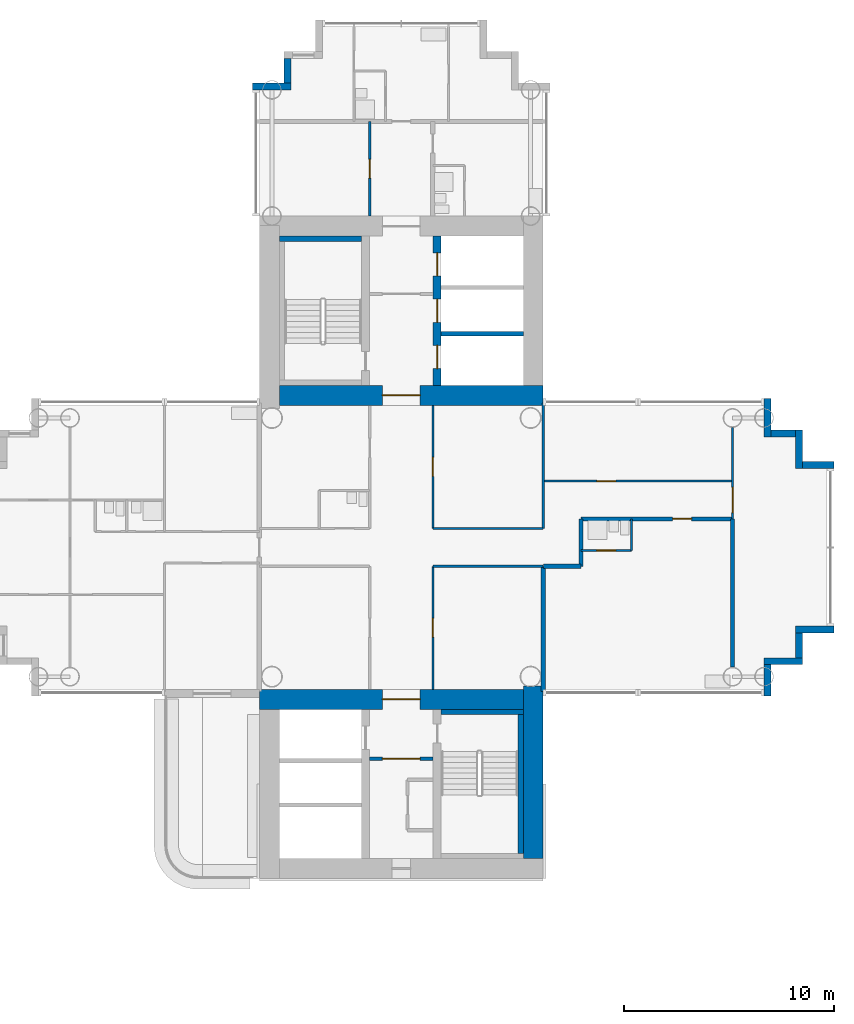
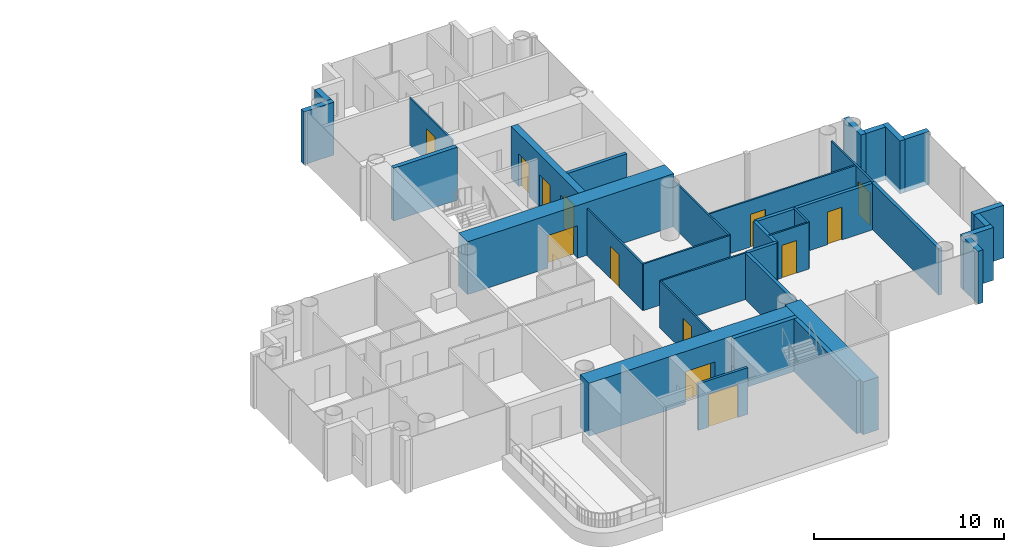
# One storey, part 14 of 22: 34 walls, 13 doors, 13 openings.
"""IFC4 building model written with IfcOpenShell, lengths in metres."""

from ifc_helpers import new_model, si_unit, direction, frame, frame_2d, origin, place, context, subcontext, project, spatial, rectangle, extrude, material, layer, layer_set, type_object, element, fill, save


model = new_model("IFC4")

# Units and contexts
model_context = context("Model", 3, precision=1e-05, world=origin(), true_north=direction((0.0, 1.0)))
body_context = subcontext(model_context, "Body", "Model", "MODEL_VIEW")
ifc_project = project(units=[si_unit("LENGTHUNIT", "METRE"), si_unit("AREAUNIT", "SQUARE_METRE"), si_unit("VOLUMEUNIT", "CUBIC_METRE"), si_unit("PLANEANGLEUNIT", "RADIAN"), si_unit("MASSUNIT", "GRAM", prefix="KILO")], contexts=[model_context])

# Site, building, storey
site_placement = place(None, origin())
site = spatial("IfcSite", under=ifc_project, at=site_placement, CompositionType="ELEMENT")
building_placement = place(site_placement, origin())
building = spatial("IfcBuilding", under=site, at=building_placement, Name="Ipe Terrace Towers", CompositionType="ELEMENT")
storey_placement = place(building_placement, frame((0.0, 0.0, 110.60009765625)))
storey = spatial("IfcBuildingStorey", under=building, at=storey_placement, Name="L30", CompositionType="ELEMENT", Elevation=110.60009765625)

# Walls
ifc_material_1 = material(Name="Concrete C40/50 with buff precast cladding", Category="concrete")
ifc_layer_1 = layer(ifc_material_1, 0.320068359375)
ifc_layer_set_1 = layer_set([ifc_layer_1], Name="BUFF CLADDING WALL 320")
wall_type_1 = type_object("IfcWallType", Name="BUFF CLADDING WALL 320", PredefinedType="STANDARD", material=ifc_layer_set_1)
wall_1_placement = place(storey_placement, frame((53.409912109375, -7.070068359375, -0.300048828125), z_axis=(0.0, 0.0, 1.0), x_axis=(0.0, 1.0, 0.0)))
element("IfcWall", 1, at=wall_1_placement, inside=storey, type_object=wall_type_1, Name="T2-W-L30-04a wall", PredefinedType="STANDARD", context=body_context, shape_type="SweptSolid", body=[
    extrude(rectangle(XDim=1.5, YDim=0.320068359375, at=frame_2d((0.75, 0.0))), origin(), (0.0, 0.0, 1.0), 3.39990234375),
])
wall_2_placement = place(storey_placement, frame((53.25, -5.409912109375, -0.300048828125), z_axis=(0.0, 0.0, 1.0), x_axis=(1.0, 0.0, 0.0)))
element("IfcWall", 2, at=wall_2_placement, inside=storey, type_object=wall_type_1, Name="T2-W-L30-05a wall", PredefinedType="STANDARD", context=body_context, shape_type="SweptSolid", body=[
    extrude(rectangle(XDim=1.820068359375, YDim=0.320068359375, at=frame_2d((0.91015625, 0.0))), origin(), (0.0, 0.0, 1.0), 3.39990234375),
])
wall_3_placement = place(storey_placement, frame((54.909912109375, -5.25, -0.300048828125), z_axis=(0.0, 0.0, 1.0), x_axis=(0.0, 1.0, 0.0)))
element("IfcWall", 3, at=wall_3_placement, inside=storey, type_object=wall_type_1, Name="T2-W-L30-06a wall", PredefinedType="STANDARD", context=body_context, shape_type="SweptSolid", body=[
    extrude(rectangle(XDim=1.179931640625, YDim=0.320068359375, at=frame_2d((0.58984375, 0.0))), origin(), (0.0, 0.0, 1.0), 3.39990234375),
])
wall_4_placement = place(storey_placement, frame((54.75, -3.909912109375, -0.300048828125), z_axis=(0.0, 0.0, 1.0), x_axis=(1.0, 0.0, 0.0)))
element("IfcWall", 4, at=wall_4_placement, inside=storey, type_object=wall_type_1, Name="T2-W-L30-07a wall", PredefinedType="STANDARD", context=body_context, shape_type="SweptSolid", body=[
    extrude(rectangle(XDim=1.820068359375, YDim=0.320068359375, at=frame_2d((0.91015625, 0.0))), origin(), (0.0, 0.0, 1.0), 3.39990234375),
])
wall_5_placement = place(storey_placement, frame((56.570068359375, 3.909912109375, -0.300048828125), z_axis=(0.0, 0.0, 1.0), x_axis=(-1.0, 0.0, 0.0)))
element("IfcWall", 5, at=wall_5_placement, inside=storey, type_object=wall_type_1, Name="T2-W-L30-09a wall", PredefinedType="STANDARD", context=body_context, shape_type="SweptSolid", body=[
    extrude(rectangle(XDim=1.5, YDim=0.320068359375, at=frame_2d((0.75, 0.0))), origin(), (0.0, 0.0, 1.0), 3.39990234375),
])
wall_6_placement = place(storey_placement, frame((54.909912109375, 3.75, -0.300048828125), z_axis=(0.0, 0.0, 1.0), x_axis=(0.0, 1.0, 0.0)))
element("IfcWall", 6, at=wall_6_placement, inside=storey, type_object=wall_type_1, Name="T2-W-L30-10a wall", PredefinedType="STANDARD", context=body_context, shape_type="SweptSolid", body=[
    extrude(rectangle(XDim=1.820068359375, YDim=0.320068359375, at=frame_2d((0.91015625, 0.0))), origin(), (0.0, 0.0, 1.0), 3.39990234375),
])
wall_7_placement = place(storey_placement, frame((54.75, 5.409912109375, -0.300048828125), z_axis=(0.0, 0.0, 1.0), x_axis=(-1.0, 0.0, 0.0)))
element("IfcWall", 7, at=wall_7_placement, inside=storey, type_object=wall_type_1, Name="T2-W-L30-11a wall", PredefinedType="STANDARD", context=body_context, shape_type="SweptSolid", body=[
    extrude(rectangle(XDim=1.179931640625, YDim=0.320068359375, at=frame_2d((0.58984375, 0.0))), origin(), (0.0, 0.0, 1.0), 3.39990234375),
])
wall_8_placement = place(storey_placement, frame((53.409912109375, 5.25, -0.300048828125), z_axis=(0.0, 0.0, 1.0), x_axis=(0.0, 1.0, 0.0)))
element("IfcWall", 8, at=wall_8_placement, inside=storey, type_object=wall_type_1, Name="T2-W-L30-12a wall", PredefinedType="STANDARD", context=body_context, shape_type="SweptSolid", body=[
    extrude(rectangle(XDim=1.820068359375, YDim=0.320068359375, at=frame_2d((0.91015625, 0.0))), origin(), (0.0, 0.0, 1.0), 3.39990234375),
])
wall_9_placement = place(storey_placement, frame((30.590087890625, 23.25, -0.300048828125), z_axis=(0.0, 0.0, 1.0), x_axis=(0.0, -1.0, 0.0)))
element("IfcWall", 9, at=wall_9_placement, inside=storey, type_object=wall_type_1, Name="T2-W-L30-24a wall", PredefinedType="STANDARD", context=body_context, shape_type="SweptSolid", body=[
    extrude(rectangle(XDim=1.179931640625, YDim=0.320068359375, at=frame_2d((0.58984375, 0.0))), origin(), (0.0, 0.0, 1.0), 3.39990234375),
])
wall_10_placement = place(storey_placement, frame((30.75, 21.909912109375, -0.300048828125), z_axis=(0.0, 0.0, 1.0), x_axis=(-1.0, 0.0, 0.0)))
element("IfcWall", 10, at=wall_10_placement, inside=storey, type_object=wall_type_1, Name="T2-W-L30-25a wall", PredefinedType="STANDARD", context=body_context, shape_type="SweptSolid", body=[
    extrude(rectangle(XDim=1.820068359375, YDim=0.320068359375, at=frame_2d((0.91015625, 0.0))), origin(), (0.0, 0.0, 1.0), 3.39990234375),
])
ifc_material_2 = material(Name="Gypsum board partition", Category="plasterboard")
ifc_layer_2 = layer(ifc_material_2, 0.10009765625)
ifc_layer_set_2 = layer_set([ifc_layer_2], Name="Gypsum board partition 100 mm")
wall_type_2 = type_object("IfcWallType", Name="Gypsum board partition 100 mm", PredefinedType="PARTITIONING", material=ifc_layer_set_2)
wall_11_placement = place(storey_placement, frame((42.75, -0.89990234375, 0.0), z_axis=(0.0, 0.0, 1.0), x_axis=(-1.0, 0.0, 0.0)))
element("IfcWall", 11, at=wall_11_placement, inside=storey, type_object=wall_type_2, Name="Gypsum board partition T2 L30 W02", PredefinedType="PARTITIONING", context=body_context, shape_type="SweptSolid", body=[
    extrude(rectangle(XDim=5.25, YDim=0.10009765625, at=frame_2d((2.625, 0.0))), origin(), (0.0, 0.0, 1.0), 3.0),
])

# Wall, opening, door
wall_12_placement = place(storey_placement, frame((46.949951171875, -0.14990234375, 0.0), z_axis=(0.0, 0.0, 1.0), x_axis=(-1.0, 0.0, 0.0)))
wall_12 = element("IfcWall", 12, at=wall_12_placement, inside=storey, type_object=wall_type_2, Name="Gypsum board partition T2 L30 W06", PredefinedType="PARTITIONING", context=body_context, shape_type="SweptSolid", body=[
    extrude(rectangle(XDim=2.39990234375, YDim=0.10009765625, at=frame_2d((1.199951171875, 0.0))), origin(), (0.0, 0.0, 1.0), 3.0),
])
opening_1_placement = place(wall_12_placement, frame((0.75, 0.0, 0.0)))
opening_1 = element("IfcOpeningElement", 13, at=opening_1_placement, cuts=wall_12, Name="Opening T2-Z2F-18", PredefinedType="OPENING", context=body_context, shape_type="SweptSolid", body=[
    extrude(rectangle(XDim=0.89990234375, YDim=2.10009765625, at=frame_2d((0.449951171875, 1.050048828125))), frame((0.0, 0.06005859375, 0.0), z_axis=(0.0, -1.0, 0.0), x_axis=(1.0, 0.0, 0.0)), (0.0, 0.0, 1.0), 0.1201171875),
])
ifc_material_3 = material(Name="Timber door leaf", Category="wood")
door_type_1 = type_object("IfcDoorType", Name="Bathroom door 900 x 2100", OperationType="NOTDEFINED", PredefinedType="DOOR", material=ifc_material_3)
door_1_placement = place(opening_1_placement, origin())
door_1 = element("IfcDoor", 14, at=door_1_placement, inside=storey, type_object=door_type_1, Name="Bathroom door T2-Z2F-18", OperationType="SINGLE_SWING_RIGHT", OverallHeight=2.10009765625, OverallWidth=0.89990234375, PredefinedType="DOOR", context=body_context, shape_type="SweptSolid", body=[
    extrude(rectangle(XDim=0.89990234375, YDim=2.10009765625, at=frame_2d((0.449951171875, 1.050048828125))), frame((0.0, 0.02490234375, 0.0), z_axis=(0.0, -1.0, 0.0), x_axis=(1.0, 0.0, 0.0)), (0.0, 0.0, 1.0), 0.050048828125),
])
fill(opening_1, door_1)

# Wall
wall_13_placement = place(storey_placement, frame((42.75, 0.89990234375, 0.0), z_axis=(0.0, 0.0, 1.0), x_axis=(-1.0, 0.0, 0.0)))
element("IfcWall", 15, at=wall_13_placement, inside=storey, type_object=wall_type_2, Name="Gypsum board partition T2 L30 W08", PredefinedType="PARTITIONING", context=body_context, shape_type="SweptSolid", body=[
    extrude(rectangle(XDim=5.25, YDim=0.10009765625, at=frame_2d((2.625, 0.0))), origin(), (0.0, 0.0, 1.0), 3.0),
])

# Wall, opening, door
wall_14_placement = place(storey_placement, frame((51.75, 3.14990234375, 0.0), z_axis=(0.0, 0.0, 1.0), x_axis=(-1.0, 0.0, 0.0)))
wall_14 = element("IfcWall", 16, at=wall_14_placement, inside=storey, type_object=wall_type_2, Name="Gypsum board partition T2 L30 W13", PredefinedType="PARTITIONING", context=body_context, shape_type="SweptSolid", body=[
    extrude(rectangle(XDim=9.0, YDim=0.10009765625, at=frame_2d((4.5, 0.0))), origin(), (0.0, 0.0, 1.0), 3.0),
])
opening_2_placement = place(wall_14_placement, frame((5.550048828125, 0.0, 0.0)))
opening_2 = element("IfcOpeningElement", 17, at=opening_2_placement, cuts=wall_14, Name="Opening T2-Z2F-16", PredefinedType="OPENING", context=body_context, shape_type="SweptSolid", body=[
    extrude(rectangle(XDim=0.89990234375, YDim=2.10009765625, at=frame_2d((0.449951171875, 1.050048828125))), frame((0.0, 0.06005859375, 0.0), z_axis=(0.0, -1.0, 0.0), x_axis=(1.0, 0.0, 0.0)), (0.0, 0.0, 1.0), 0.1201171875),
])
ifc_material_4 = material(Name="Timber door leaf", Category="wood")
door_type_2 = type_object("IfcDoorType", Name="Lounge door 900 x 2100", OperationType="NOTDEFINED", PredefinedType="DOOR", material=ifc_material_4)
door_2_placement = place(opening_2_placement, origin())
door_2 = element("IfcDoor", 18, at=door_2_placement, inside=storey, type_object=door_type_2, Name="Lounge door T2-Z2F-16", OperationType="SINGLE_SWING_RIGHT", OverallHeight=2.10009765625, OverallWidth=0.89990234375, PredefinedType="DOOR", context=body_context, shape_type="SweptSolid", body=[
    extrude(rectangle(XDim=0.89990234375, YDim=2.10009765625, at=frame_2d((0.449951171875, 1.050048828125))), frame((0.0, 0.02490234375, 0.0), z_axis=(0.0, -1.0, 0.0), x_axis=(1.0, 0.0, 0.0)), (0.0, 0.0, 1.0), 0.050048828125),
])
fill(opening_2, door_2)

wall_15_placement = place(storey_placement, frame((51.75, 1.35009765625, 0.0), z_axis=(0.0, 0.0, 1.0), x_axis=(0.0, 1.0, 0.0)))
wall_15 = element("IfcWall", 19, at=wall_15_placement, inside=storey, type_object=wall_type_2, Name="Gypsum board partition T2 L30 W17", PredefinedType="PARTITIONING", context=body_context, shape_type="SweptSolid", body=[
    extrude(rectangle(XDim=4.349853515625, YDim=0.10009765625, at=frame_2d((2.1748046875, 0.0))), origin(), (0.0, 0.0, 1.0), 3.0),
])
opening_3_placement = place(wall_15_placement, frame((0.300048828125, 0.0, 0.0)))
opening_3 = element("IfcOpeningElement", 20, at=opening_3_placement, cuts=wall_15, Name="Opening T2-Z2F-19", PredefinedType="OPENING", context=body_context, shape_type="SweptSolid", body=[
    extrude(rectangle(XDim=1.199951171875, YDim=2.10009765625, at=frame_2d((0.60009765625, 1.050048828125))), frame((0.0, 0.06005859375, 0.0), z_axis=(0.0, -1.0, 0.0), x_axis=(1.0, 0.0, 0.0)), (0.0, 0.0, 1.0), 0.1201171875),
])
ifc_material_5 = material(Name="Timber door leaf", Category="wood")
door_type_3 = type_object("IfcDoorType", Name="Lounge door 1200 x 2100", OperationType="NOTDEFINED", PredefinedType="DOOR", material=ifc_material_5)
door_3_placement = place(opening_3_placement, origin())
door_3 = element("IfcDoor", 21, at=door_3_placement, inside=storey, type_object=door_type_3, Name="Lounge door T2-Z2F-19", OperationType="SINGLE_SWING_LEFT", OverallHeight=2.10009765625, OverallWidth=1.199951171875, PredefinedType="DOOR", context=body_context, shape_type="SweptSolid", body=[
    extrude(rectangle(XDim=1.199951171875, YDim=2.10009765625, at=frame_2d((0.60009765625, 1.050048828125))), frame((0.0, 0.02490234375, 0.0), z_axis=(0.0, -1.0, 0.0), x_axis=(1.0, 0.0, 0.0)), (0.0, 0.0, 1.0), 0.050048828125),
])
fill(opening_3, door_3)

# Walls
wall_16_placement = place(storey_placement, frame((46.949951171875, -0.14990234375, 0.0), z_axis=(0.0, 0.0, 1.0), x_axis=(0.0, 1.0, 0.0)))
element("IfcWall", 22, at=wall_16_placement, inside=storey, type_object=wall_type_2, Name="Gypsum board partition T2 L30 W19", PredefinedType="PARTITIONING", context=body_context, shape_type="SweptSolid", body=[
    extrude(rectangle(XDim=1.5, YDim=0.10009765625, at=frame_2d((0.75, 0.0))), origin(), (0.0, 0.0, 1.0), 3.0),
])
wall_17_placement = place(storey_placement, frame((42.75, 0.89990234375, 0.0), z_axis=(0.0, 0.0, 1.0), x_axis=(0.0, 1.0, 0.0)))
element("IfcWall", 23, at=wall_17_placement, inside=storey, type_object=wall_type_2, Name="Gypsum board partition T2 L30 W21", PredefinedType="PARTITIONING", context=body_context, shape_type="SweptSolid", body=[
    extrude(rectangle(XDim=5.9501953125, YDim=0.10009765625, at=frame_2d((2.97509765625, 0.0))), origin(), (0.0, 0.0, 1.0), 3.0),
])

# Wall, opening, door
wall_18_placement = place(storey_placement, frame((37.5, -6.75, 0.0), z_axis=(0.0, 0.0, 1.0), x_axis=(0.0, 1.0, 0.0)))
wall_18 = element("IfcWall", 24, at=wall_18_placement, inside=storey, type_object=wall_type_2, Name="Gypsum board partition T2 L30 W25", PredefinedType="PARTITIONING", context=body_context, shape_type="SweptSolid", body=[
    extrude(rectangle(XDim=5.85009765625, YDim=0.10009765625, at=frame_2d((2.925048828125, 0.0))), origin(), (0.0, 0.0, 1.0), 3.0),
])
opening_4_placement = place(wall_18_placement, frame((2.47509765625, 0.0, 0.0)))
opening_4 = element("IfcOpeningElement", 25, at=opening_4_placement, cuts=wall_18, Name="Opening T2-Z2F-04", PredefinedType="OPENING", context=body_context, shape_type="SweptSolid", body=[
    extrude(rectangle(XDim=0.89990234375, YDim=2.10009765625, at=frame_2d((0.449951171875, 1.050048828125))), frame((0.0, 0.06005859375, 0.0), z_axis=(0.0, -1.0, 0.0), x_axis=(1.0, 0.0, 0.0)), (0.0, 0.0, 1.0), 0.1201171875),
])
door_4_placement = place(opening_4_placement, origin())
door_4 = element("IfcDoor", 26, at=door_4_placement, inside=storey, type_object=door_type_2, Name="Lounge door T2-Z2F-04", OperationType="SINGLE_SWING_LEFT", OverallHeight=2.10009765625, OverallWidth=0.89990234375, PredefinedType="DOOR", context=body_context, shape_type="SweptSolid", body=[
    extrude(rectangle(XDim=0.89990234375, YDim=2.10009765625, at=frame_2d((0.449951171875, 1.050048828125))), frame((0.0, 0.02490234375, 0.0), z_axis=(0.0, -1.0, 0.0), x_axis=(1.0, 0.0, 0.0)), (0.0, 0.0, 1.0), 0.050048828125),
])
fill(opening_4, door_4)

wall_19_placement = place(storey_placement, frame((37.5, 0.89990234375, 0.0), z_axis=(0.0, 0.0, 1.0), x_axis=(0.0, 1.0, 0.0)))
wall_19 = element("IfcWall", 27, at=wall_19_placement, inside=storey, type_object=wall_type_2, Name="Gypsum board partition T2 L30 W26", PredefinedType="PARTITIONING", context=body_context, shape_type="SweptSolid", body=[
    extrude(rectangle(XDim=5.85009765625, YDim=0.10009765625, at=frame_2d((2.925048828125, 0.0))), origin(), (0.0, 0.0, 1.0), 3.0),
])
opening_5_placement = place(wall_19_placement, frame((2.47509765625, 0.0, 0.0)))
opening_5 = element("IfcOpeningElement", 28, at=opening_5_placement, cuts=wall_19, Name="Opening T2-Z2F-05", PredefinedType="OPENING", context=body_context, shape_type="SweptSolid", body=[
    extrude(rectangle(XDim=0.89990234375, YDim=2.10009765625, at=frame_2d((0.449951171875, 1.050048828125))), frame((0.0, 0.06005859375, 0.0), z_axis=(0.0, -1.0, 0.0), x_axis=(1.0, 0.0, 0.0)), (0.0, 0.0, 1.0), 0.1201171875),
])
door_5_placement = place(opening_5_placement, origin())
door_5 = element("IfcDoor", 29, at=door_5_placement, inside=storey, type_object=door_type_2, Name="Lounge door T2-Z2F-05", OperationType="SINGLE_SWING_RIGHT", OverallHeight=2.10009765625, OverallWidth=0.89990234375, PredefinedType="DOOR", context=body_context, shape_type="SweptSolid", body=[
    extrude(rectangle(XDim=0.89990234375, YDim=2.10009765625, at=frame_2d((0.449951171875, 1.050048828125))), frame((0.0, 0.02490234375, 0.0), z_axis=(0.0, -1.0, 0.0), x_axis=(1.0, 0.0, 0.0)), (0.0, 0.0, 1.0), 0.050048828125),
])
fill(opening_5, door_5)

wall_20_placement = place(storey_placement, frame((34.5, 15.75, 0.0), z_axis=(0.0, 0.0, 1.0), x_axis=(0.0, 1.0, 0.0)))
wall_20 = element("IfcWall", 30, at=wall_20_placement, inside=storey, type_object=wall_type_2, Name="Gypsum board partition T2 L30 W31", PredefinedType="PARTITIONING", context=body_context, shape_type="SweptSolid", body=[
    extrude(rectangle(XDim=4.5, YDim=0.10009765625, at=frame_2d((2.25, 0.0))), origin(), (0.0, 0.0, 1.0), 3.0),
])
opening_6_placement = place(wall_20_placement, frame((1.800048828125, 0.0, 0.0)))
opening_6 = element("IfcOpeningElement", 31, at=opening_6_placement, cuts=wall_20, Name="Opening T2-Z2F-20", PredefinedType="OPENING", context=body_context, shape_type="SweptSolid", body=[
    extrude(rectangle(XDim=0.89990234375, YDim=2.10009765625, at=frame_2d((0.449951171875, 1.050048828125))), frame((0.0, 0.06005859375, 0.0), z_axis=(0.0, -1.0, 0.0), x_axis=(1.0, 0.0, 0.0)), (0.0, 0.0, 1.0), 0.1201171875),
])
door_6_placement = place(opening_6_placement, origin())
door_6 = element("IfcDoor", 32, at=door_6_placement, inside=storey, type_object=door_type_2, Name="Lounge door T2-Z2F-20", OperationType="SINGLE_SWING_LEFT", OverallHeight=2.10009765625, OverallWidth=0.89990234375, PredefinedType="DOOR", context=body_context, shape_type="SweptSolid", body=[
    extrude(rectangle(XDim=0.89990234375, YDim=2.10009765625, at=frame_2d((0.449951171875, 1.050048828125))), frame((0.0, 0.02490234375, 0.0), z_axis=(0.0, -1.0, 0.0), x_axis=(1.0, 0.0, 0.0)), (0.0, 0.0, 1.0), 0.050048828125),
])
fill(opening_6, door_6)

ifc_material_6 = material(Name="Gypsum board partition", Category="plasterboard")
ifc_layer_3 = layer(ifc_material_6, 0.14990234375)
ifc_layer_set_3 = layer_set([ifc_layer_3], Name="Gypsum board partition 150 mm")
wall_type_3 = type_object("IfcWallType", Name="Gypsum board partition 150 mm", PredefinedType="PARTITIONING", material=ifc_layer_set_3)
wall_21_placement = place(storey_placement, frame((34.5, -10.050048828125, 0.0), z_axis=(0.0, 0.0, 1.0), x_axis=(1.0, 0.0, 0.0)))
wall_21 = element("IfcWall", 33, at=wall_21_placement, inside=storey, type_object=wall_type_3, Name="Gypsum board partition T2 L30 t2c2-lobby-wall", PredefinedType="PARTITIONING", context=body_context, shape_type="SweptSolid", body=[
    extrude(rectangle(XDim=3.0, YDim=0.14990234375, at=frame_2d((1.5, 0.0))), origin(), (0.0, 0.0, 1.0), 3.0),
])
opening_7_placement = place(wall_21_placement, frame((0.60009765625, 0.0, 0.0)))
opening_7 = element("IfcOpeningElement", 34, at=opening_7_placement, cuts=wall_21, Name="Opening T2C2-VD", PredefinedType="OPENING", context=body_context, shape_type="SweptSolid", body=[
    extrude(rectangle(XDim=1.800048828125, YDim=2.10009765625, at=frame_2d((0.89990234375, 1.050048828125))), frame((0.0, 0.0849609375, 0.0), z_axis=(0.0, -1.0, 0.0), x_axis=(1.0, 0.0, 0.0)), (0.0, 0.0, 1.0), 0.169921875),
])
ifc_material_7 = material(Name="Fire-rated timber door leaf", Category="wood")
door_type_4 = type_object("IfcDoorType", Name="Lobby door 1800 x 2100 FD60", OperationType="NOTDEFINED", PredefinedType="DOOR", material=ifc_material_7)
door_7_placement = place(opening_7_placement, origin())
door_7 = element("IfcDoor", 35, at=door_7_placement, inside=storey, type_object=door_type_4, Name="Lobby door T2C2-VD", OperationType="SINGLE_SWING_LEFT", OverallHeight=2.10009765625, OverallWidth=1.800048828125, PredefinedType="DOOR", context=body_context, shape_type="SweptSolid", body=[
    extrude(rectangle(XDim=1.800048828125, YDim=2.10009765625, at=frame_2d((0.89990234375, 1.050048828125))), frame((0.0, 0.02490234375, 0.0), z_axis=(0.0, -1.0, 0.0), x_axis=(1.0, 0.0, 0.0)), (0.0, 0.0, 1.0), 0.050048828125),
])
fill(opening_7, door_7)

# Walls
ifc_material_8 = material(Name="Gypsum board party wall", Category="plasterboard")
ifc_layer_4 = layer(ifc_material_8, 0.199951171875)
ifc_layer_set_4 = layer_set([ifc_layer_4], Name="Gypsum board party wall 200 mm")
wall_type_4 = type_object("IfcWallType", Name="Gypsum board party wall 200 mm", PredefinedType="SOLIDWALL", material=ifc_layer_set_4)
wall_22_placement = place(storey_placement, frame((41.800048828125, 10.14990234375, 0.0), z_axis=(0.0, 0.0, 1.0), x_axis=(-1.0, 0.0, 0.0)))
element("IfcWall", 36, at=wall_22_placement, inside=storey, type_object=wall_type_4, Name="Gypsum board party wall T2 L30 t2c1-shaft-div1", PredefinedType="SOLIDWALL", context=body_context, shape_type="SweptSolid", body=[
    extrude(rectangle(XDim=3.900146484375, YDim=0.199951171875, at=frame_2d((1.9501953125, 0.0))), origin(), (0.0, 0.0, 1.0), 3.0),
])
wall_23_placement = place(storey_placement, frame((44.550048828125, -0.89990234375, 0.0), z_axis=(0.0, 0.0, 1.0), x_axis=(-1.0, 0.0, 0.0)))
element("IfcWall", 37, at=wall_23_placement, inside=storey, type_object=wall_type_4, Name="Gypsum board party wall T2 L30 W04", PredefinedType="SOLIDWALL", context=body_context, shape_type="SweptSolid", body=[
    extrude(rectangle(XDim=1.800048828125, YDim=0.199951171875, at=frame_2d((0.89990234375, 0.0))), origin(), (0.0, 0.0, 1.0), 3.0),
])

# Wall, opening, door
wall_24_placement = place(storey_placement, frame((51.75, 1.35009765625, 0.0), z_axis=(0.0, 0.0, 1.0), x_axis=(-1.0, 0.0, 0.0)))
wall_24 = element("IfcWall", 38, at=wall_24_placement, inside=storey, type_object=wall_type_4, Name="Gypsum board party wall T2 L30 W10", PredefinedType="SOLIDWALL", context=body_context, shape_type="SweptSolid", body=[
    extrude(rectangle(XDim=7.199951171875, YDim=0.199951171875, at=frame_2d((3.60009765625, 0.0))), origin(), (0.0, 0.0, 1.0), 3.0),
])
opening_8_placement = place(wall_24_placement, frame((1.949951171875, 0.0, 0.0)))
opening_8 = element("IfcOpeningElement", 39, at=opening_8_placement, cuts=wall_24, Name="Opening T2-Z2F-17", PredefinedType="OPENING", context=body_context, shape_type="SweptSolid", body=[
    extrude(rectangle(XDim=0.89990234375, YDim=2.10009765625, at=frame_2d((0.449951171875, 1.050048828125))), frame((0.0, 0.10986328125, 0.0), z_axis=(0.0, -1.0, 0.0), x_axis=(1.0, 0.0, 0.0)), (0.0, 0.0, 1.0), 0.219970703125),
])
ifc_material_9 = material(Name="Fire-rated timber door leaf", Category="wood")
door_type_5 = type_object("IfcDoorType", Name="Flat entrance door 900 x 2100 FD30S", OperationType="NOTDEFINED", PredefinedType="DOOR", material=ifc_material_9)
door_8_placement = place(opening_8_placement, origin())
door_8 = element("IfcDoor", 40, at=door_8_placement, inside=storey, type_object=door_type_5, Name="Flat entrance door T2-Z2F-17", OperationType="SINGLE_SWING_RIGHT", OverallHeight=2.10009765625, OverallWidth=0.89990234375, PredefinedType="DOOR", context=body_context, shape_type="SweptSolid", body=[
    extrude(rectangle(XDim=0.89990234375, YDim=2.10009765625, at=frame_2d((0.449951171875, 1.050048828125))), frame((0.0, 0.02490234375, 0.0), z_axis=(0.0, -1.0, 0.0), x_axis=(1.0, 0.0, 0.0)), (0.0, 0.0, 1.0), 0.050048828125),
])
fill(opening_8, door_8)

# Walls
wall_25_placement = place(storey_placement, frame((51.75, -5.699951171875, 0.0), z_axis=(0.0, 0.0, 1.0), x_axis=(0.0, 1.0, 0.0)))
element("IfcWall", 41, at=wall_25_placement, inside=storey, type_object=wall_type_4, Name="Gypsum board party wall T2 L30 W18", PredefinedType="SOLIDWALL", context=body_context, shape_type="SweptSolid", body=[
    extrude(rectangle(XDim=7.050048828125, YDim=0.199951171875, at=frame_2d((3.52490234375, 0.0))), origin(), (0.0, 0.0, 1.0), 3.0),
])
wall_26_placement = place(storey_placement, frame((44.550048828125, -0.89990234375, 0.0), z_axis=(0.0, 0.0, 1.0), x_axis=(0.0, 1.0, 0.0)))
element("IfcWall", 42, at=wall_26_placement, inside=storey, type_object=wall_type_4, Name="Gypsum board party wall T2 L30 W20", PredefinedType="SOLIDWALL", context=body_context, shape_type="SweptSolid", body=[
    extrude(rectangle(XDim=2.25, YDim=0.199951171875, at=frame_2d((1.125, 0.0))), origin(), (0.0, 0.0, 1.0), 3.0),
])
wall_27_placement = place(storey_placement, frame((42.75, -6.85009765625, 0.0), z_axis=(0.0, 0.0, 1.0), x_axis=(0.0, 1.0, 0.0)))
element("IfcWall", 43, at=wall_27_placement, inside=storey, type_object=wall_type_4, Name="Gypsum board party wall T2 L30 W22", PredefinedType="SOLIDWALL", context=body_context, shape_type="SweptSolid", body=[
    extrude(rectangle(XDim=5.9501953125, YDim=0.199951171875, at=frame_2d((2.97509765625, 0.0))), origin(), (0.0, 0.0, 1.0), 3.0),
])
ifc_material_10 = material(Name="Concrete C50/60", Category="concrete")
ifc_layer_5 = layer(ifc_material_10, 0.25)
ifc_layer_set_5 = layer_set([ifc_layer_5], Name="RW250 CORE INFILL WALL 250 C50-60")
wall_type_5 = type_object("IfcWallType", Name="RW250 CORE INFILL WALL 250 C50-60", PredefinedType="SHEAR", material=ifc_layer_set_5)
wall_28_placement = place(storey_placement, frame((34.10009765625, 14.675048828125, 0.0), z_axis=(0.0, 0.0, 1.0), x_axis=(-1.0, 0.0, 0.0)))
element("IfcWall", 44, at=wall_28_placement, inside=storey, type_object=wall_type_5, Name="Core infill wall T2-C1-far", PredefinedType="SHEAR", context=body_context, shape_type="SweptSolid", body=[
    extrude(rectangle(XDim=3.900146484375, YDim=0.25, at=frame_2d((1.9501953125, 0.0))), origin(), (0.0, 0.0, 1.0), 3.39990234375),
])
wall_29_placement = place(storey_placement, frame((41.675048828125, -7.949951171875, 0.0), z_axis=(0.0, 0.0, 1.0), x_axis=(0.0, -1.0, 0.0)))
element("IfcWall", 45, at=wall_29_placement, inside=storey, type_object=wall_type_5, Name="Core infill wall T2-C2-back", PredefinedType="SHEAR", context=body_context, shape_type="SweptSolid", body=[
    extrude(rectangle(XDim=6.60009765625, YDim=0.25, at=frame_2d((3.300048828125, 0.0))), origin(), (0.0, 0.0, 1.0), 3.39990234375),
])
wall_30_placement = place(storey_placement, frame((37.89990234375, -7.824951171875, 0.0), z_axis=(0.0, 0.0, 1.0), x_axis=(1.0, 0.0, 0.0)))
element("IfcWall", 46, at=wall_30_placement, inside=storey, type_object=wall_type_5, Name="Core infill wall T2-C2-near", PredefinedType="SHEAR", context=body_context, shape_type="SweptSolid", body=[
    extrude(rectangle(XDim=3.900146484375, YDim=0.25, at=frame_2d((1.9501953125, 0.0))), origin(), (0.0, 0.0, 1.0), 3.39990234375),
])

# Wall, openings, doors
ifc_material_11 = material(Name="Concrete C50/60", Category="concrete")
ifc_layer_6 = layer(ifc_material_11, 0.39990234375)
ifc_layer_set_6 = layer_set([ifc_layer_6], Name="RW400 CORE SPINE WALL 400 C50-60")
wall_type_6 = type_object("IfcWallType", Name="RW400 CORE SPINE WALL 400 C50-60", PredefinedType="SHEAR", material=ifc_layer_set_6)
wall_31_placement = place(storey_placement, frame((37.699951171875, 7.699951171875, 0.0), z_axis=(0.0, 0.0, 1.0), x_axis=(0.0, 1.0, 0.0)))
wall_31 = element("IfcWall", 47, at=wall_31_placement, inside=storey, type_object=wall_type_6, Name="Core spine wall T2-C1-Z2-SW2", PredefinedType="SHEAR", context=body_context, shape_type="SweptSolid", body=[
    extrude(rectangle(XDim=7.10009765625, YDim=0.39990234375, at=frame_2d((3.550048828125, 0.0))), origin(), (0.0, 0.0, 1.0), 3.39990234375),
])
opening_9_placement = place(wall_31_placement, frame((0.800048828125, 0.0, 0.0)))
opening_9 = element("IfcOpeningElement", 48, at=opening_9_placement, cuts=wall_31, Name="Opening T2C1-LD1", PredefinedType="OPENING", context=body_context, shape_type="SweptSolid", body=[
    extrude(rectangle(XDim=1.10009765625, YDim=2.10009765625, at=frame_2d((0.550048828125, 1.050048828125))), frame((0.0, 0.2099609375, 0.0), z_axis=(0.0, -1.0, 0.0), x_axis=(1.0, 0.0, 0.0)), (0.0, 0.0, 1.0), 0.419921875),
])
opening_10_placement = place(wall_31_placement, frame((3.0, 0.0, 0.0)))
opening_10 = element("IfcOpeningElement", 49, at=opening_10_placement, cuts=wall_31, Name="Opening T2C1-LD2", PredefinedType="OPENING", context=body_context, shape_type="SweptSolid", body=[
    extrude(rectangle(XDim=1.10009765625, YDim=2.10009765625, at=frame_2d((0.550048828125, 1.050048828125))), frame((0.0, 0.2099609375, 0.0), z_axis=(0.0, -1.0, 0.0), x_axis=(1.0, 0.0, 0.0)), (0.0, 0.0, 1.0), 0.419921875),
])
opening_11_placement = place(wall_31_placement, frame((5.199951171875, 0.0, 0.0)))
opening_11 = element("IfcOpeningElement", 50, at=opening_11_placement, cuts=wall_31, Name="Opening T2C1-LD3", PredefinedType="OPENING", context=body_context, shape_type="SweptSolid", body=[
    extrude(rectangle(XDim=1.10009765625, YDim=2.10009765625, at=frame_2d((0.550048828125, 1.050048828125))), frame((0.0, 0.2099609375, 0.0), z_axis=(0.0, -1.0, 0.0), x_axis=(1.0, 0.0, 0.0)), (0.0, 0.0, 1.0), 0.419921875),
])
ifc_material_12 = material(Name="Fire-rated timber door leaf", Category="wood")
door_type_6 = type_object("IfcDoorType", Name="Sliding door 1100 x 2100 FD60", OperationType="SLIDING_TO_LEFT", PredefinedType="DOOR", material=ifc_material_12)
door_9_placement = place(opening_9_placement, origin())
door_9 = element("IfcDoor", 51, at=door_9_placement, inside=storey, type_object=door_type_6, Name="Sliding door T2C1-LD1", OperationType="SLIDING_TO_LEFT", OverallHeight=2.10009765625, OverallWidth=1.10009765625, PredefinedType="DOOR", context=body_context, shape_type="SweptSolid", body=[
    extrude(rectangle(XDim=1.10009765625, YDim=2.10009765625, at=frame_2d((0.550048828125, 1.050048828125))), frame((0.0, 0.02490234375, 0.0), z_axis=(0.0, -1.0, 0.0), x_axis=(1.0, 0.0, 0.0)), (0.0, 0.0, 1.0), 0.050048828125),
])
fill(opening_9, door_9)
door_10_placement = place(opening_10_placement, origin())
door_10 = element("IfcDoor", 52, at=door_10_placement, inside=storey, type_object=door_type_6, Name="Sliding door T2C1-LD2", OperationType="SLIDING_TO_LEFT", OverallHeight=2.10009765625, OverallWidth=1.10009765625, PredefinedType="DOOR", context=body_context, shape_type="SweptSolid", body=[
    extrude(rectangle(XDim=1.10009765625, YDim=2.10009765625, at=frame_2d((0.550048828125, 1.050048828125))), frame((0.0, 0.02490234375, 0.0), z_axis=(0.0, -1.0, 0.0), x_axis=(1.0, 0.0, 0.0)), (0.0, 0.0, 1.0), 0.050048828125),
])
fill(opening_10, door_10)
door_11_placement = place(opening_11_placement, origin())
door_11 = element("IfcDoor", 53, at=door_11_placement, inside=storey, type_object=door_type_6, Name="Sliding door T2C1-LD3", OperationType="SLIDING_TO_LEFT", OverallHeight=2.10009765625, OverallWidth=1.10009765625, PredefinedType="DOOR", context=body_context, shape_type="SweptSolid", body=[
    extrude(rectangle(XDim=1.10009765625, YDim=2.10009765625, at=frame_2d((0.550048828125, 1.050048828125))), frame((0.0, 0.02490234375, 0.0), z_axis=(0.0, -1.0, 0.0), x_axis=(1.0, 0.0, 0.0)), (0.0, 0.0, 1.0), 0.050048828125),
])
fill(opening_11, door_11)

# Wall, opening, door
ifc_material_13 = material(Name="Concrete C50/60", Category="concrete")
ifc_layer_7 = layer(ifc_material_13, 0.949951171875)
ifc_layer_set_7 = layer_set([ifc_layer_7], Name="RW950 CORE WALL 950 C50-60")
wall_type_7 = type_object("IfcWallType", Name="RW950 CORE WALL 950 C50-60", PredefinedType="SHEAR", material=ifc_layer_set_7)
wall_32_placement = place(storey_placement, frame((30.199951171875, 7.22509765625, 0.0), z_axis=(0.0, 0.0, 1.0), x_axis=(1.0, 0.0, 0.0)))
wall_32 = element("IfcWall", 54, at=wall_32_placement, inside=storey, type_object=wall_type_7, Name="Core wall T2-C1-Z2-W01", PredefinedType="SHEAR", context=body_context, shape_type="SweptSolid", body=[
    extrude(rectangle(XDim=12.550048828125, YDim=0.949951171875, at=frame_2d((6.27490234375, 0.0))), origin(), (0.0, 0.0, 1.0), 3.39990234375),
])
opening_12_placement = place(wall_32_placement, frame((4.89990234375, 0.0, 0.0)))
opening_12 = element("IfcOpeningElement", 55, at=opening_12_placement, cuts=wall_32, Name="Opening T2C1-ND", PredefinedType="OPENING", context=body_context, shape_type="SweptSolid", body=[
    extrude(rectangle(XDim=1.800048828125, YDim=2.10009765625, at=frame_2d((0.89990234375, 1.050048828125))), frame((0.0, 0.48486328125, 0.0), z_axis=(0.0, -1.0, 0.0), x_axis=(1.0, 0.0, 0.0)), (0.0, 0.0, 1.0), 0.969970703125),
])
ifc_material_14 = material(Name="Fire-rated timber door leaf", Category="wood")
door_type_7 = type_object("IfcDoorType", Name="Fire door 1800 x 2100 FD30S", OperationType="NOTDEFINED", PredefinedType="DOOR", material=ifc_material_14)
door_12_placement = place(opening_12_placement, origin())
door_12 = element("IfcDoor", 56, at=door_12_placement, inside=storey, type_object=door_type_7, Name="Fire door T2C1-ND", OperationType="SINGLE_SWING_LEFT", OverallHeight=2.10009765625, OverallWidth=1.800048828125, PredefinedType="DOOR", context=body_context, shape_type="SweptSolid", body=[
    extrude(rectangle(XDim=1.800048828125, YDim=2.10009765625, at=frame_2d((0.89990234375, 1.050048828125))), frame((0.0, 0.02490234375, 0.0), z_axis=(0.0, -1.0, 0.0), x_axis=(1.0, 0.0, 0.0)), (0.0, 0.0, 1.0), 0.050048828125),
])
fill(opening_12, door_12)

# Wall
wall_33_placement = place(storey_placement, frame((42.27490234375, -14.800048828125, 0.0), z_axis=(0.0, 0.0, 1.0), x_axis=(0.0, 1.0, 0.0)))
element("IfcWall", 57, at=wall_33_placement, inside=storey, type_object=wall_type_7, Name="Core wall T2-C2-Z2-W02", PredefinedType="SHEAR", context=body_context, shape_type="SweptSolid", body=[
    extrude(rectangle(XDim=8.197998046875, YDim=0.949951171875, at=frame_2d((4.09912109375, 0.0))), origin(), (0.0, 0.0, 1.0), 3.39990234375),
])

# Wall, opening, door
wall_34_placement = place(storey_placement, frame((41.800048828125, -7.22509765625, 0.0), z_axis=(0.0, 0.0, 1.0), x_axis=(-1.0, 0.0, 0.0)))
wall_34 = element("IfcWall", 58, at=wall_34_placement, inside=storey, type_object=wall_type_7, Name="Core wall T2-C2-Z2-W03", PredefinedType="SHEAR", context=body_context, shape_type="SweptSolid", body=[
    extrude(rectangle(XDim=12.550048828125, YDim=0.949951171875, at=frame_2d((6.27490234375, 0.0))), origin(), (0.0, 0.0, 1.0), 3.39990234375),
])
opening_13_placement = place(wall_34_placement, frame((4.89990234375, 0.0, 0.0)))
opening_13 = element("IfcOpeningElement", 59, at=opening_13_placement, cuts=wall_34, Name="Opening T2C2-ND", PredefinedType="OPENING", context=body_context, shape_type="SweptSolid", body=[
    extrude(rectangle(XDim=1.800048828125, YDim=2.10009765625, at=frame_2d((0.89990234375, 1.050048828125))), frame((0.0, 0.48486328125, 0.0), z_axis=(0.0, -1.0, 0.0), x_axis=(1.0, 0.0, 0.0)), (0.0, 0.0, 1.0), 0.969970703125),
])
door_13_placement = place(opening_13_placement, origin())
door_13 = element("IfcDoor", 60, at=door_13_placement, inside=storey, type_object=door_type_7, Name="Fire door T2C2-ND", OperationType="SINGLE_SWING_LEFT", OverallHeight=2.10009765625, OverallWidth=1.800048828125, PredefinedType="DOOR", context=body_context, shape_type="SweptSolid", body=[
    extrude(rectangle(XDim=1.800048828125, YDim=2.10009765625, at=frame_2d((0.89990234375, 1.050048828125))), frame((0.0, 0.02490234375, 0.0), z_axis=(0.0, -1.0, 0.0), x_axis=(1.0, 0.0, 0.0)), (0.0, 0.0, 1.0), 0.050048828125),
])
fill(opening_13, door_13)

save(model, "model.ifc")
